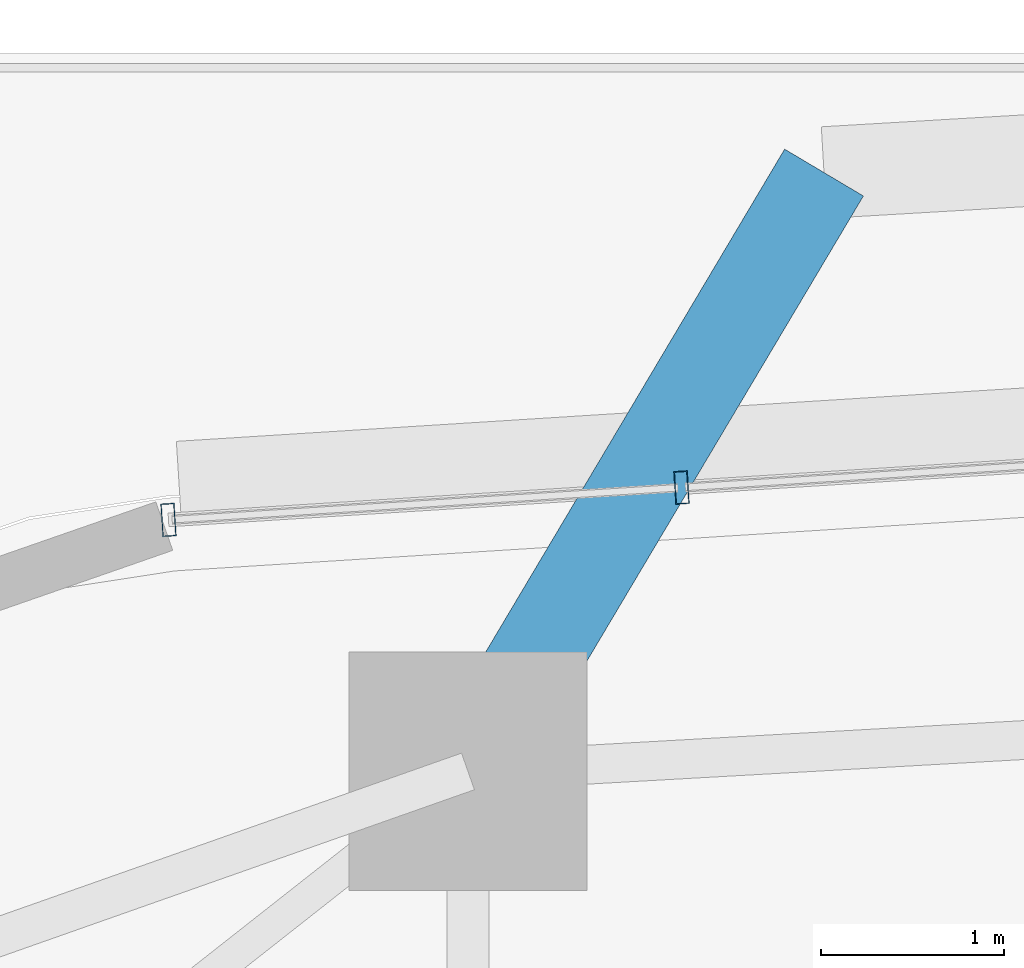
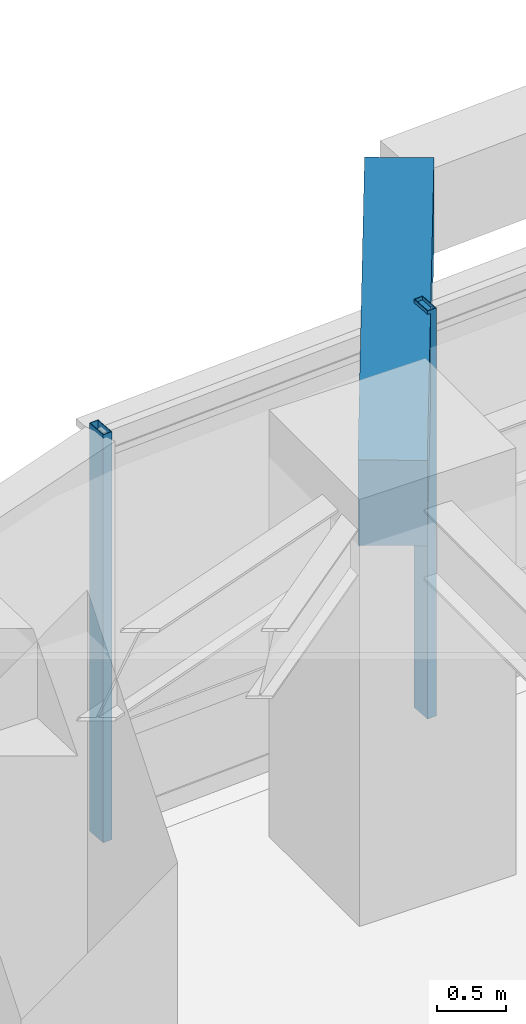
# One storey, part 8 of 20: 2 members, 1 beam, 1 element without a shape of its own.
"""IFC4 building model written with IfcOpenShell, lengths in metres."""

from ifc_helpers import new_model, si_unit, direction, frame, origin, origin_2d, place, context, subcontext, project, spatial, rectangle, hollow_rectangle, extrude, material, material_profile, profile_set, type_object, element, aggregate, save


model = new_model("IFC4")

# Units and contexts
model_context = context("Model", 3, precision=1e-05, world=origin(), true_north=direction((0.0, 1.0)))
body_context = subcontext(model_context, "Body", "Model", "MODEL_VIEW")
ifc_project = project(units=[si_unit("LENGTHUNIT", "METRE"), si_unit("AREAUNIT", "SQUARE_METRE"), si_unit("VOLUMEUNIT", "CUBIC_METRE"), si_unit("PLANEANGLEUNIT", "RADIAN"), si_unit("MASSUNIT", "GRAM", prefix="KILO")], contexts=[model_context])

# Site, building, storey
site_placement = place(None, origin())
site = spatial("IfcSite", under=ifc_project, at=site_placement, CompositionType="ELEMENT")
building_placement = place(site_placement, origin())
building = spatial("IfcBuilding", under=site, at=building_placement, Name="Zulverin Broadcast Headquarters", CompositionType="ELEMENT")
storey_placement = place(building_placement, frame((0.0, 0.0, 25.0)))
storey = spatial("IfcBuildingStorey", under=building, at=storey_placement, Name="L05", CompositionType="ELEMENT", Elevation=25.0)

# Beam
ifc_material_1 = material(Name="Concrete C40/50", Category="concrete")
ifc_material_profile_1 = material_profile(ifc_material_1, rectangle(XDim=0.5, YDim=0.75, at=origin_2d()), Name="Concrete C40/50", Category="concrete")
ifc_profile_set_1 = profile_set([ifc_material_profile_1], Name="Concrete C40/50")
beam_type = type_object("IfcBeamType", Name="BM-RC-500x750", PredefinedType="BEAM", material=ifc_profile_set_1)
beam_placement = place(storey_placement, frame((29.873779296875, 46.482177734375, 3.14990234375), z_axis=(0.511024077234, 0.859566397952, 0.0), x_axis=(-0.859566397952, 0.511024077234, 0.0)))
element("IfcBeam", 1, at=beam_placement, inside=storey, type_object=beam_type, Name="L06 Balcony Column-Framed Cantilever BAL_N-2", PredefinedType="BEAM", context=body_context, shape_type="SweptSolid", body=[
    extrude(rectangle(XDim=0.5, YDim=0.75, at=origin_2d()), origin(), (0.0, 0.0, 1.0), 3.800048828125),
])

# Curtain wall, members
ifc_material_2 = material(Name="Low-zone ribbon unitised curtain wall", Category="aluminium")
curtain_wall_type = type_object("IfcCurtainWallType", Name="CW-TWR-LOW", PredefinedType="USERDEFINED", material=ifc_material_2)
curtain_wall_placement = place(storey_placement, origin())
curtain_wall = element("IfcCurtainWall", 2, at=curtain_wall_placement, inside=storey, type_object=curtain_wall_type, Name="L05 Unitised Curtain Wall CW-L05-E5", ObjectType="UNITISED CURTAIN WALL", PredefinedType="USERDEFINED")
ifc_material_3 = material(Name="Anodized pale-metal aluminium alloy 6063-T6", Category="aluminium")
ifc_material_profile_2 = material_profile(ifc_material_3, hollow_rectangle(XDim=0.074951171875, YDim=0.179931640625, WallThickness=0.0048828125, at=origin_2d()), Name="Anodized pale-metal aluminium alloy 6063-T6", Category="aluminium")
ifc_profile_set_2 = profile_set([ifc_material_profile_2], Name="Anodized pale-metal aluminium alloy 6063-T6")
member_type = type_object("IfcMemberType", Name="CW-MUL-180", PredefinedType="MULLION", material=ifc_profile_set_2)
member_1_placement = place(storey_placement, frame((31.03857421875, 48.030517578125, -0.030029296875), z_axis=(0.0, 0.0, 1.0), x_axis=(-0.998017621976, -0.062935095345, 0.0)))
member_1 = element("IfcMember", 3, at=member_1_placement, type_object=member_type, Name="CW-L05-E5 Mullion 06", PredefinedType="MULLION", context=body_context, shape_type="SweptSolid", body=[
    extrude(hollow_rectangle(XDim=0.074951171875, YDim=0.179931640625, WallThickness=0.0048828125, at=origin_2d()), origin(), (0.0, 0.0, 1.0), 3.5849609375),
])
member_2_placement = place(storey_placement, frame((28.239990234375, 47.85400390625, -0.030029296875), z_axis=(0.0, 0.0, 1.0), x_axis=(-0.998017621976, -0.062935095345, 0.0)))
member_2 = element("IfcMember", 4, at=member_2_placement, type_object=member_type, Name="CW-L05-E5 Mullion 07", PredefinedType="MULLION", context=body_context, shape_type="SweptSolid", body=[
    extrude(hollow_rectangle(XDim=0.074951171875, YDim=0.179931640625, WallThickness=0.0048828125, at=origin_2d()), origin(), (0.0, 0.0, 1.0), 3.5849609375),
])
aggregate(curtain_wall, [member_1, member_2])

save(model, "model.ifc")
